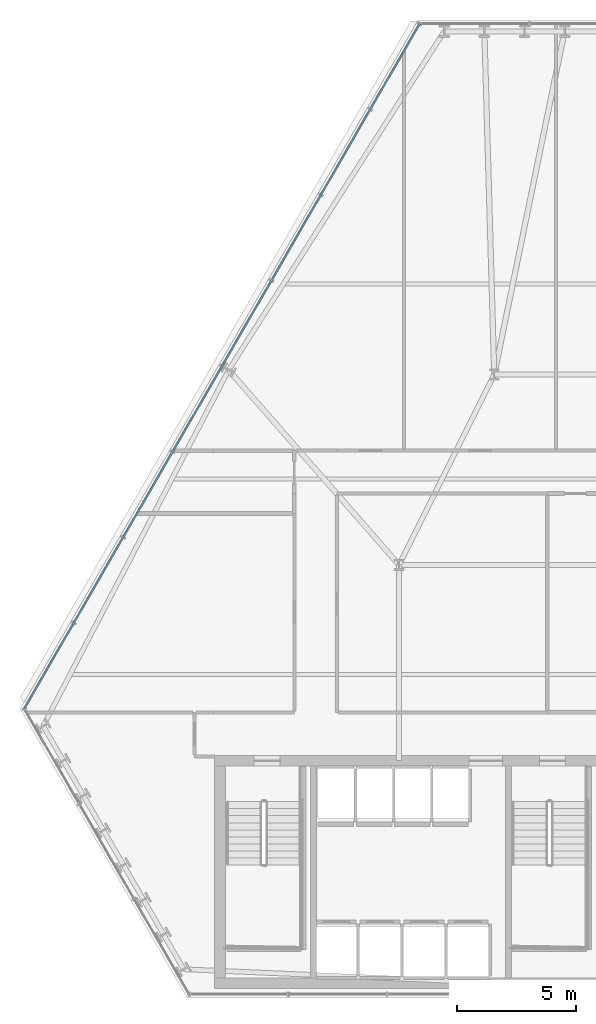
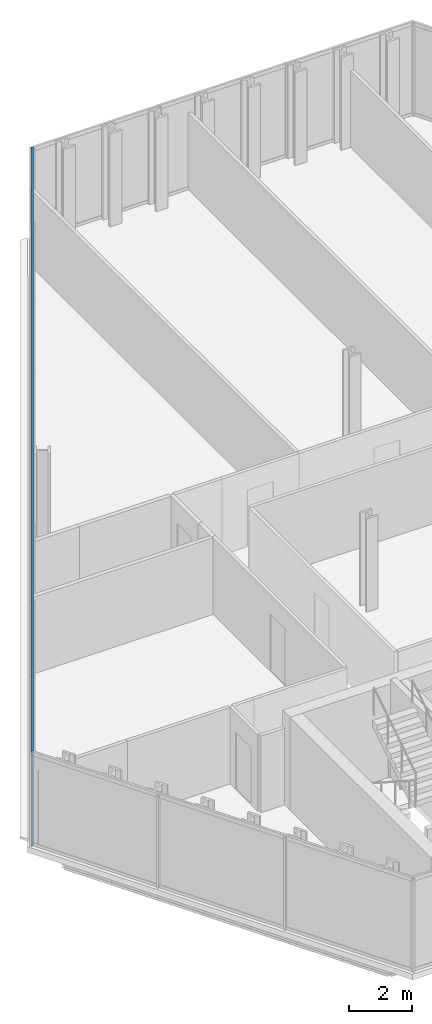
# One storey, part 14 of 32: 2 members, 1 element without a shape of its own.
"""IFC4 building model written with IfcOpenShell, lengths in metres."""

from ifc_helpers import new_model, si_unit, direction, frame, origin, origin_2d, place, context, subcontext, project, spatial, hollow_rectangle, extrude, material, layer, layer_set, material_profile, profile_set, type_object, element, aggregate, save


model = new_model("IFC4")

# Units and contexts
model_context = context("Model", 3, precision=1e-05, world=origin(), true_north=direction((0.0, 1.0)))
body_context = subcontext(model_context, "Body", "Model", "MODEL_VIEW")
ifc_project = project(units=[si_unit("LENGTHUNIT", "METRE"), si_unit("AREAUNIT", "SQUARE_METRE"), si_unit("VOLUMEUNIT", "CUBIC_METRE"), si_unit("PLANEANGLEUNIT", "RADIAN"), si_unit("MASSUNIT", "GRAM", prefix="KILO")], contexts=[model_context])

# Site, building, storey
site_placement = place(None, origin())
site = spatial("IfcSite", under=ifc_project, at=site_placement, CompositionType="ELEMENT")
building_placement = place(site_placement, origin())
building = spatial("IfcBuilding", under=site, at=building_placement, Name="Ndaravel Arena Tower", CompositionType="ELEMENT")
storey_placement = place(building_placement, frame((0.0, 0.0, 93.0)))
storey = spatial("IfcBuildingStorey", under=building, at=storey_placement, Name="L21", CompositionType="ELEMENT", Elevation=93.0)

# Curtain wall, members
ifc_material_1 = material(Name="Aluminium", Category="aluminium")
ifc_layer = layer(ifc_material_1, 0.179931640625)
ifc_layer_set = layer_set([ifc_layer], Name="Aluminium")
curtain_wall_type = type_object("IfcCurtainWallType", Name="CW-SYS-03", PredefinedType="NOTDEFINED", material=ifc_layer_set)
curtain_wall_placement = place(storey_placement, origin())
curtain_wall = element("IfcCurtainWall", 1, at=curtain_wall_placement, inside=storey, type_object=curtain_wall_type, Name="L21 Faceted Crystal Curtain Wall CW-L21-E05", PredefinedType="NOTDEFINED")
ifc_material_2 = material(Name="Aluminium", Category="aluminium")
ifc_material_profile = material_profile(ifc_material_2, hollow_rectangle(XDim=0.074951171875, YDim=0.14990234375, WallThickness=0.00390625, at=origin_2d()), Name="CW TRANSOM 75x150x4")
ifc_profile_set = profile_set([ifc_material_profile], Name="Aluminium")
member_type = type_object("IfcMemberType", Name="MEM-CW-TRN150", PredefinedType="USERDEFINED", material=ifc_profile_set)
member_1_placement = place(storey_placement, frame((35.0712890625, 45.93408203125, 0.0400390625), z_axis=(-0.499998934557, -0.866026018917, 0.0), x_axis=(0.866026018917, -0.499998934557, 0.0)))
member_1 = element("IfcMember", 2, at=member_1_placement, type_object=member_type, Name="CW-L21-E05 Transom 01", ObjectType="TRANSOM", PredefinedType="USERDEFINED", context=body_context, shape_type="SweptSolid", body=[
    extrude(hollow_rectangle(XDim=0.074951171875, YDim=0.14990234375, WallThickness=0.00390625, at=origin_2d()), origin(), (0.0, 0.0, 1.0), 33.224609375),
])
member_2_placement = place(storey_placement, frame((35.0712890625, 45.93408203125, 3.5400390625), z_axis=(-0.499998934557, -0.866026018917, 0.0), x_axis=(0.866026018917, -0.499998934557, 0.0)))
member_2 = element("IfcMember", 3, at=member_2_placement, type_object=member_type, Name="CW-L21-E05 Transom 02", ObjectType="TRANSOM", PredefinedType="USERDEFINED", context=body_context, shape_type="SweptSolid", body=[
    extrude(hollow_rectangle(XDim=0.074951171875, YDim=0.14990234375, WallThickness=0.00390625, at=origin_2d()), origin(), (0.0, 0.0, 1.0), 33.224609375),
])
aggregate(curtain_wall, [member_1, member_2])

save(model, "model.ifc")
